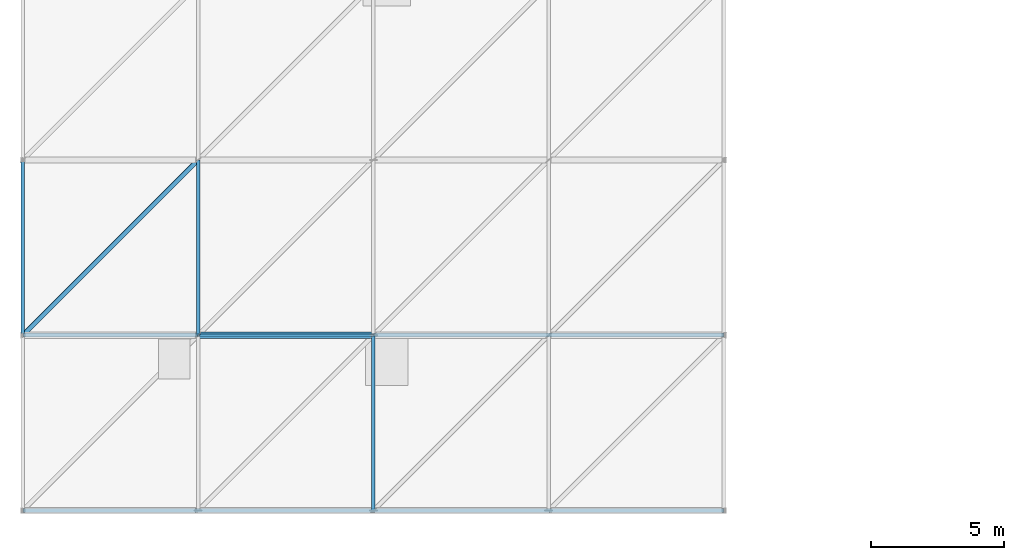
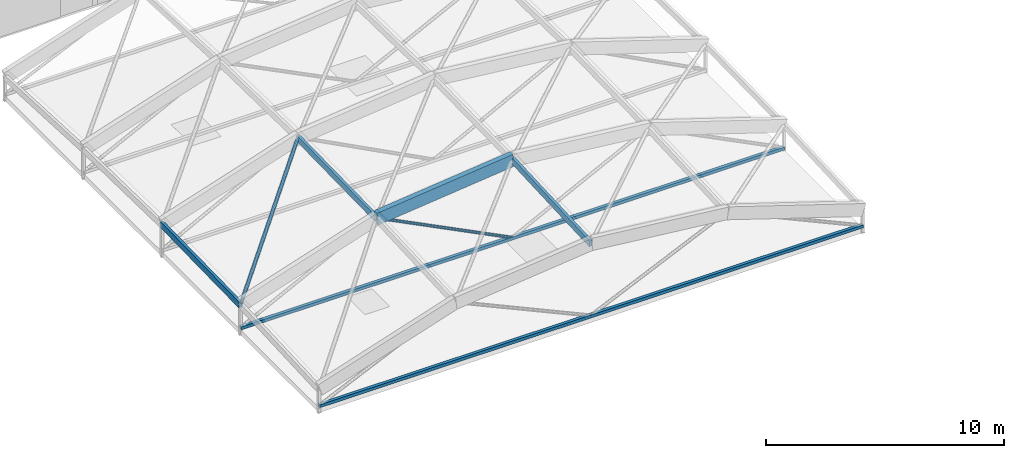
# One storey, part 22 of 157: 8 members.
"""IFC4 building model written with IfcOpenShell, lengths in metres."""

from ifc_helpers import new_model, si_unit, direction, frame, origin, origin_2d, place, context, subcontext, project, spatial, rectangle, hollow_rectangle, hollow_circle, extrude, material, material_profile, profile_set, type_object, element, save


model = new_model("IFC4")

# Units and contexts
model_context = context("Model", 3, precision=1e-05, world=origin(), true_north=direction((0.0, 1.0)))
body_context = subcontext(model_context, "Body", "Model", "MODEL_VIEW")
ifc_project = project(units=[si_unit("LENGTHUNIT", "METRE"), si_unit("AREAUNIT", "SQUARE_METRE"), si_unit("VOLUMEUNIT", "CUBIC_METRE"), si_unit("PLANEANGLEUNIT", "RADIAN"), si_unit("MASSUNIT", "GRAM", prefix="KILO")], contexts=[model_context])

# Site, building, storey
site_placement = place(None, origin())
site = spatial("IfcSite", under=ifc_project, at=site_placement, CompositionType="ELEMENT")
building_placement = place(site_placement, origin())
building = spatial("IfcBuilding", under=site, at=building_placement, Name="Karori Crest Natural Sciences Institute", CompositionType="ELEMENT")
storey_placement = place(building_placement, frame((0.0, 0.0, 13.300048828125)))
storey = spatial("IfcBuildingStorey", under=building, at=storey_placement, Name="L03", CompositionType="ELEMENT", Elevation=13.300048828125)

# Members
ifc_material_1 = material(Name="Hollow structural steel AS/NZS 1163 Grade C350", Category="steel")
ifc_material_profile_1 = material_profile(ifc_material_1, hollow_circle(Radius=0.084228515625, WallThickness=0.007080078125, at=origin_2d()), Name="CHS168.3x7.1")
ifc_profile_set_1 = profile_set([ifc_material_profile_1], Name="Hollow structural steel AS/NZS 1163 Grade C350")
member_type_1 = type_object("IfcMemberType", Name="MT-03", PredefinedType="BRACE", material=ifc_profile_set_1)
member_1_placement = place(storey_placement, frame((0.800048828125, 7.39990234375, 1.2880859375), z_axis=(0.687078476007, 0.687103892293, 0.236244384067), x_axis=(-0.707119859409, 0.707093702722, 0.0)))
element("IfcMember", 1, at=member_1_placement, inside=storey, type_object=member_type_1, Name="Diagonal Brace M-0286", PredefinedType="BRACE", context=body_context, shape_type="SweptSolid", body=[
    extrude(hollow_circle(Radius=0.084228515625, WallThickness=0.007080078125, at=origin_2d()), origin(), (0.0, 0.0, 1.0), 9.605712890625),
])
ifc_material_2 = material(Name="Glulam GL12", Category="wood")
ifc_material_profile_2 = material_profile(ifc_material_2, rectangle(XDim=0.135009765625, YDim=0.31494140625, at=origin_2d()), Name="GL135x315")
ifc_profile_set_2 = profile_set([ifc_material_profile_2], Name="Glulam GL12")
member_type_2 = type_object("IfcMemberType", Name="MT-12", PredefinedType="PURLIN", material=ifc_profile_set_2)
member_2_placement = place(storey_placement, frame((14.0, 0.800048828125, 3.820068359375), z_axis=(0.0, 0.998840383429, 0.048144453801), x_axis=(-1.0, 0.0, 0.0)))
element("IfcMember", 2, at=member_2_placement, inside=storey, type_object=member_type_2, Name="Member M-0273", PredefinedType="PURLIN", context=body_context, shape_type="SweptSolid", body=[
    extrude(rectangle(XDim=0.135009765625, YDim=0.31494140625, at=origin_2d()), origin(), (0.0, 0.0, 1.0), 6.607421875),
])
for number, where, z_axis, x_axis, name in (
    (3, (0.800048828125, 7.39990234375, 1.2880859375), (0.0, 0.999800562433, 0.019970862755), (-1.0, 0.0, 0.0), "Member M-0285"),
    (4, (7.39990234375, 7.39990234375, 3.425537109375), (0.0, 0.999800562433, 0.019970862755), (-1.0, 0.0, 0.0), "Member M-0289"),
):
    element("IfcMember", number, at=place(storey_placement, frame(where, z_axis=z_axis, x_axis=x_axis)), inside=storey, type_object=member_type_2, Name=name, PredefinedType="PURLIN", context=body_context, shape_type="SweptSolid", body=[
        extrude(rectangle(XDim=0.135009765625, YDim=0.31494140625, at=origin_2d()), origin(), (0.0, 0.0, 1.0), 6.601318359375),
    ])
ifc_material_profile_3 = material_profile(ifc_material_1, hollow_rectangle(XDim=0.14990234375, YDim=0.14990234375, WallThickness=0.009033203125, at=origin_2d()), Name="SHS150x150x9")
ifc_profile_set_3 = profile_set([ifc_material_profile_3], Name="Hollow structural steel AS/NZS 1163 Grade C350")
member_type_3 = type_object("IfcMemberType", Name="MT-13-IL", PredefinedType="CHORD", material=ifc_profile_set_3)
for number, where, z_axis, x_axis, name in (
    (5, (0.800048828125, 0.800048828125, 0.119873046875), (1.0, 0.0, 0.0), (0.0, 1.0, 0.0), "Member M-0262"),
    (6, (0.800048828125, 7.39990234375, 0.119873046875), (1.0, 0.0, 0.0), (0.0, 1.0, 0.0), "Member M-0282"),
):
    element("IfcMember", number, at=place(storey_placement, frame(where, z_axis=z_axis, x_axis=x_axis)), inside=storey, type_object=member_type_3, Name=name, PredefinedType="CHORD", context=body_context, shape_type="SweptSolid", body=[
        extrude(hollow_rectangle(XDim=0.14990234375, YDim=0.14990234375, WallThickness=0.009033203125, at=origin_2d()), origin(), (0.0, 0.0, 1.0), 26.39990234375),
    ])
ifc_material_profile_4 = material_profile(ifc_material_2, rectangle(XDim=0.239990234375, YDim=0.6298828125, at=origin_2d()), Name="GL240x630")
ifc_profile_set_4 = profile_set([ifc_material_profile_4], Name="Glulam GL12")
member_type_4 = type_object("IfcMemberType", Name="MT-15", PredefinedType="USERDEFINED", material=ifc_profile_set_4)
member_3_placement = place(storey_placement, frame((7.39990234375, 7.39990234375, 3.445556640625), z_axis=(0.994221165478, 0.0, 0.107351171933), x_axis=(0.0, 1.0, 0.0)))
element("IfcMember", 7, at=member_3_placement, inside=storey, type_object=member_type_4, Name="Member M-0287", ObjectType="ARCH_SEGMENT", PredefinedType="USERDEFINED", context=body_context, shape_type="SweptSolid", body=[
    extrude(rectangle(XDim=0.239990234375, YDim=0.6298828125, at=origin_2d()), origin(), (0.0, 0.0, 1.0), 6.638427734375),
])
ifc_material_profile_5 = material_profile(ifc_material_1, hollow_circle(Radius=0.06982421875, WallThickness=0.00634765625, at=origin_2d()), Name="CHS139.7x6.4")
ifc_profile_set_5 = profile_set([ifc_material_profile_5], Name="Hollow structural steel AS/NZS 1163 Grade C350")
member_type_5 = type_object("IfcMemberType", Name="MT-18-IL", PredefinedType="STRUT", material=ifc_profile_set_5)
member_4_placement = place(storey_placement, frame((14.0, 7.39990234375, 0.119873046875), z_axis=(-0.893035467548, 0.0, 0.44998628168), x_axis=(0.0, -1.0, 0.0)))
element("IfcMember", 8, at=member_4_placement, inside=storey, type_object=member_type_5, Name="Member M-0288", PredefinedType="STRUT", context=body_context, shape_type="SweptSolid", body=[
    extrude(hollow_circle(Radius=0.06982421875, WallThickness=0.00634765625, at=origin_2d()), origin(), (0.0, 0.0, 1.0), 7.390625),
])

save(model, "model.ifc")
